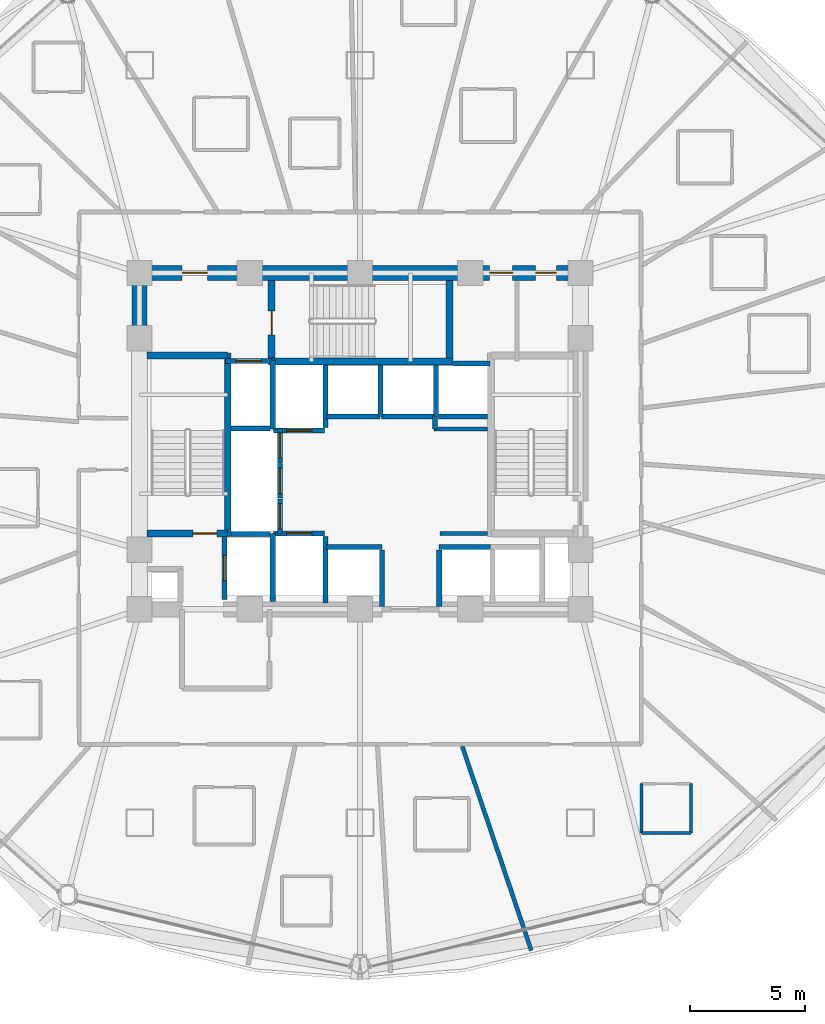
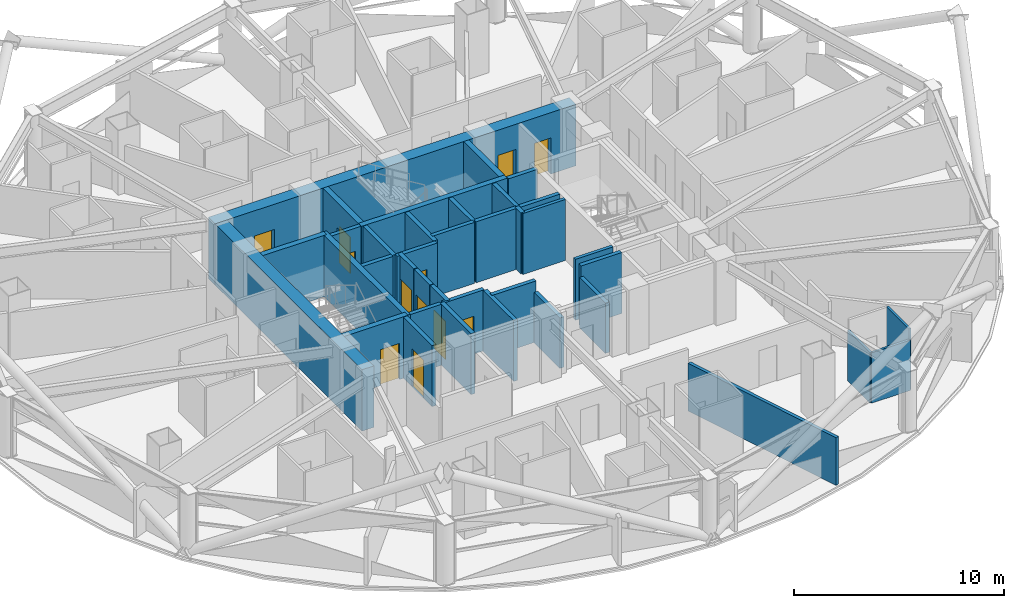
# One storey, part 24 of 31: 38 walls, 12 doors, 12 openings.
"""IFC4 building model written with IfcOpenShell, lengths in metres."""

import ifcopenshell
import ifcopenshell.guid

model = None  # the IFC model being written
_history = None  # IfcOwnerHistory: only IFC2X3 demands one
_inside = {}  # id of a spatial element -> (the spatial element, [elements in it])
_under = {}  # id of a project, library or spatial element -> (it, [spatial elements below it])
_declared = {}  # id of a project -> (the project, [libraries it declares])
_typed = {}  # id of a type object -> (the type object, [elements of that type])
_made_of = {}  # id of a material, layer set ... -> (it, [elements and type objects made of it])


def new_model(schema):
    """Start an empty IFC model of exactly this schema.

    Asked for "IFC4X3", IfcOpenShell would pick the latest addendum, in which some entities
    have other attributes; the version numbers below select the first issue.
    IFC2X3 requires an IfcOwnerHistory on every rooted entity: one is made here for all.
    """
    global model, _history
    if schema == "IFC4X3":
        model = ifcopenshell.file(schema_version=(4, 3, 0, 0))
    else:
        model = ifcopenshell.file(schema=schema)
    _inside.clear()
    _under.clear()
    _declared.clear()
    _typed.clear()
    _made_of.clear()
    _history = None
    if model.schema == "IFC2X3":
        org = make("IfcOrganization", Name="unknown")
        user = make(
            "IfcPersonAndOrganization",
            ThePerson=make("IfcPerson", FamilyName="unknown"),
            TheOrganization=org,
        )
        app = make(
            "IfcApplication",
            ApplicationDeveloper=org,
            Version="unknown",
            ApplicationFullName="unknown",
            ApplicationIdentifier="unknown",
        )
        _history = make(
            "IfcOwnerHistory",
            OwningUser=user,
            OwningApplication=app,
            ChangeAction="ADDED",
            CreationDate=0,
        )
    return model


def make(cls, **values):
    """One entity of the class cls with the attributes given. An attribute that is None is left unset."""
    return model.create_entity(
        cls, **{name: value for name, value in values.items() if value is not None}
    )


def rooted(cls, **values):
    """An entity with a GlobalId (a new one), such as an element, a storey or a relation."""
    return make(cls, GlobalId=ifcopenshell.guid.new(), OwnerHistory=_history, **values)


def si_unit(unit_type, name, prefix=None):
    """IfcSIUnit, for example si_unit("LENGTHUNIT", "METRE", prefix="MILLI")."""
    return make("IfcSIUnit", UnitType=unit_type, Prefix=prefix, Name=name)


def assignment(units):
    """IfcUnitAssignment: the units of a project."""
    return None if units is None else make("IfcUnitAssignment", Units=units)


def point(xyz):
    """IfcCartesianPoint."""
    return None if xyz is None else make("IfcCartesianPoint", Coordinates=xyz)


def direction(xyz):
    """IfcDirection."""
    return None if xyz is None else make("IfcDirection", DirectionRatios=xyz)


def frame(location, z_axis=None, x_axis=None):
    """IfcAxis2Placement3D, a coordinate frame: its origin and axes. An axis left out is left unset."""
    return make(
        "IfcAxis2Placement3D",
        Location=point(location),
        Axis=direction(z_axis),
        RefDirection=direction(x_axis),
    )


def frame_2d(location, x_axis=None):
    """IfcAxis2Placement2D, a coordinate frame in the plane: its origin and x axis."""
    return make(
        "IfcAxis2Placement2D", Location=point(location), RefDirection=direction(x_axis)
    )


def origin():
    """The frame at (0, 0, 0) with its axes left unset."""
    return frame((0.0, 0.0, 0.0))


def place(relative_to, where):
    """IfcLocalPlacement: puts the frame where relative to a parent placement (None: the world)."""
    return make(
        "IfcLocalPlacement", PlacementRelTo=relative_to, RelativePlacement=where
    )


def context(
    kind, dimensions, precision=None, world=None, true_north=None, identifier=None
):
    """IfcGeometricRepresentationContext, for example the 3D "Model" context."""
    return make(
        "IfcGeometricRepresentationContext",
        ContextIdentifier=identifier,
        ContextType=kind,
        CoordinateSpaceDimension=dimensions,
        Precision=precision,
        WorldCoordinateSystem=world,
        TrueNorth=true_north,
    )


def subcontext(parent, identifier, kind, view, scale=None):
    """IfcGeometricRepresentationSubContext, for example "Body" below "Model"."""
    return make(
        "IfcGeometricRepresentationSubContext",
        ContextIdentifier=identifier,
        ContextType=kind,
        ParentContext=parent,
        TargetScale=scale,
        TargetView=view,
    )


def project(units=None, contexts=None):
    """IfcProject with its units and contexts."""
    return rooted(
        "IfcProject",
        Name="project",
        RepresentationContexts=contexts,
        UnitsInContext=assignment(units),
    )


def spatial(cls, under=None, at=None, **own):
    """A site, building, storey or space (cls), placed at a placement, below another one or the project."""
    s = rooted(cls, ObjectPlacement=at, **own)
    if under is not None:
        _under.setdefault(under.id(), (under, []))[1].append(s)
    return s


def profile(cls, at=None, kind="AREA", **sizes):
    """A parametric profile (cls). Its sizes go by their IFC names, for example OverallWidth=200.0."""
    return make(cls, ProfileType=kind, Position=at, **sizes)


def rectangle(**sizes):
    """IfcRectangleProfileDef."""
    return profile("IfcRectangleProfileDef", **sizes)


def extrude(swept, where, along, depth):
    """IfcExtrudedAreaSolid: the profile swept, set in the frame where, extruded along a direction by depth."""
    return make(
        "IfcExtrudedAreaSolid",
        SweptArea=swept,
        Position=where,
        ExtrudedDirection=direction(along),
        Depth=depth,
    )


def shape(context_of_items, identifier, shape_type, items):
    """IfcShapeRepresentation: the items that make up one representation, for example the "Body"."""
    return make(
        "IfcShapeRepresentation",
        ContextOfItems=context_of_items,
        RepresentationIdentifier=identifier,
        RepresentationType=shape_type,
        Items=items,
    )


def material(Name=None, Category=None):
    """IfcMaterial."""
    return make("IfcMaterial", Name=Name, Category=Category)


def layer(
    of_material, thickness, ventilated=None, Name=None, Category=None, Priority=None
):
    """IfcMaterialLayer: one layer of a wall or slab, of a material (None: an air gap)."""
    return make(
        "IfcMaterialLayer",
        Material=of_material,
        LayerThickness=thickness,
        IsVentilated=ventilated,
        Name=Name,
        Category=Category,
        Priority=Priority,
    )


def layer_set(layers, Name=None):
    """IfcMaterialLayerSet."""
    return make("IfcMaterialLayerSet", MaterialLayers=layers, LayerSetName=Name)


def made_of(thing, what):
    """Note that an element or type object is made of a material, layer set ...; save() writes the relation."""
    if what is not None:
        _made_of.setdefault(what.id(), (what, []))[1].append(thing)
    return thing


def type_object(cls, material=None, **own):
    """A type object (cls), such as IfcWallType, which elements share."""
    return made_of(rooted(cls, **own), material)


def element(
    cls,
    number,
    at=None,
    inside=None,
    cuts=None,
    type_object=None,
    material=None,
    context=None,
    identifier="Body",
    shape_type=None,
    held_by="IfcProductDefinitionShape",
    body=None,
    shapes=None,
    **own,
):
    """One element of the class cls, such as IfcWall. Its Tag is "e" and its number.

    at: its placement. inside: the storey or other place that contains it. cuts: it is an
    opening in that element (IfcRelVoidsElement). A single representation is given by context,
    identifier, shape_type and body (its items); several are given by shapes. held_by: the class
    of the entity that holds the representations. save() writes the other relations.
    """
    e = rooted(cls, Tag="e%d" % number, ObjectPlacement=at, **own)
    if body is not None:
        shapes = [shape(context, identifier, shape_type, body)]
    if shapes is not None:
        e.Representation = make(held_by, Representations=shapes)
    if inside is not None:
        _inside.setdefault(inside.id(), (inside, []))[1].append(e)
    if cuts is not None:
        rooted(
            "IfcRelVoidsElement", RelatingBuildingElement=cuts, RelatedOpeningElement=e
        )
    if type_object is not None:
        _typed.setdefault(type_object.id(), (type_object, []))[1].append(e)
    return made_of(e, material)


def fill(opening, filler):
    """IfcRelFillsElement: the door or window that sits in an opening."""
    return rooted(
        "IfcRelFillsElement",
        RelatingOpeningElement=opening,
        RelatedBuildingElement=filler,
    )


def aggregate(whole, parts):
    """IfcRelAggregates: a whole, such as a stair, and the parts it consists of."""
    return rooted("IfcRelAggregates", RelatingObject=whole, RelatedObjects=parts)


def save(model, path):
    """Write the relations noted so far, then the file.

    IfcRelAggregates (storeys below a building ...), IfcRelContainedInSpatialStructure (elements
    in a storey), IfcRelDefinesByType, IfcRelAssociatesMaterial and IfcRelDeclares: one each for
    every whole, place, type object, material and project.
    """
    for whole, parts in _under.values():
        aggregate(whole, parts)
    for where, things in _inside.values():
        rooted(
            "IfcRelContainedInSpatialStructure",
            RelatedElements=things,
            RelatingStructure=where,
        )
    for kind, things in _typed.values():
        rooted("IfcRelDefinesByType", RelatedObjects=things, RelatingType=kind)
    for what, things in _made_of.values():
        rooted("IfcRelAssociatesMaterial", RelatedObjects=things, RelatingMaterial=what)
    for by, libraries in _declared.values():
        rooted("IfcRelDeclares", RelatingContext=by, RelatedDefinitions=libraries)
    model.write(path)


model = new_model("IFC4")

# Units and contexts
model_context = context("Model", 3, precision=1e-05, world=origin(), true_north=direction((0.0, 1.0)))
body_context = subcontext(model_context, "Body", "Model", "MODEL_VIEW")
ifc_project = project(units=[si_unit("LENGTHUNIT", "METRE"), si_unit("AREAUNIT", "SQUARE_METRE"), si_unit("VOLUMEUNIT", "CUBIC_METRE"), si_unit("PLANEANGLEUNIT", "RADIAN"), si_unit("MASSUNIT", "GRAM", prefix="KILO")], contexts=[model_context])

# Site, building, storey
site_placement = place(None, origin())
site = spatial("IfcSite", under=ifc_project, at=site_placement, CompositionType="ELEMENT")
building_placement = place(site_placement, origin())
building = spatial("IfcBuilding", under=site, at=building_placement, Name="Vantalir Tower", CompositionType="ELEMENT")
storey_placement = place(building_placement, frame((0.0, 0.0, 34.5)))
storey = spatial("IfcBuildingStorey", under=building, at=storey_placement, Name="L07", CompositionType="ELEMENT", Elevation=34.5)

# Walls
ifc_material_1 = material(Name="Moisture-resistant en-suite partition", Category="gypsum")
ifc_layer_1 = layer(ifc_material_1, 0.125)
ifc_layer_set_1 = layer_set([ifc_layer_1], Name="Moisture-resistant en-suite partition")
wall_type_1 = type_object("IfcWallType", Name="WL-BATH-125", PredefinedType="PARTITIONING", material=ifc_layer_set_1)
for number, where, z_axis, x_axis, name in (
    (1, (43.761962890625, 8.055908203125, 0.0), (0.0, 0.0, 1.0), (1.0, 0.0, 0.0), "L07 En-suite 18 South Wall"),
    (2, (43.761962890625, 8.055908203125, 0.0), (0.0, 0.0, 1.0), (0.0, 1.0, 0.0), "L07 En-suite 18 West Wall"),
):
    element("IfcWall", number, at=place(storey_placement, frame(where, z_axis=z_axis, x_axis=x_axis)), inside=storey, type_object=wall_type_1, Name=name, PredefinedType="PARTITIONING", context=body_context, shape_type="SweptSolid", body=[
        extrude(rectangle(XDim=2.150146484375, YDim=0.125, at=frame_2d((1.0751953125, 0.0))), origin(), (0.0, 0.0, 1.0), 2.927978515625),
    ])
wall_1_placement = place(storey_placement, frame((45.912109375, 8.055908203125, 0.0), z_axis=(0.0, 0.0, 1.0), x_axis=(0.0, 1.0, 0.0)))
element("IfcWall", 3, at=wall_1_placement, inside=storey, type_object=wall_type_1, Name="L07 En-suite 18 East Wall", PredefinedType="PARTITIONING", context=body_context, shape_type="SweptSolid", body=[
    extrude(rectangle(XDim=2.150146484375, YDim=0.125, at=frame_2d((1.0751953125, 0.0))), origin(), (0.0, 0.0, 1.0), 3.550048828125),
])

# Wall, openings, doors
ifc_material_2 = material(Name="Concrete C60/75", Category="concrete")
ifc_layer_2 = layer(ifc_material_2, 0.64990234375)
ifc_layer_set_2 = layer_set([ifc_layer_2], Name="Concrete C60/75")
wall_type_2 = type_object("IfcWallType", Name="WL-CORE-650", PredefinedType="SHEAR", material=ifc_layer_set_2)
wall_2_placement = place(storey_placement, frame((21.574951171875, 32.449951171875, 0.0), z_axis=(0.0, 0.0, 1.0), x_axis=(1.0, 0.0, 0.0)))
wall_2 = element("IfcWall", 4, at=wall_2_placement, inside=storey, type_object=wall_type_2, Name="L07 Core Shear Wall North", PredefinedType="SHEAR", context=body_context, shape_type="SweptSolid", body=[
    extrude(rectangle(XDim=19.85009765625, YDim=0.64990234375, at=frame_2d((9.925048828125, 0.0))), origin(), (0.0, 0.0, 1.0), 3.570068359375),
])
opening_1_placement = place(wall_2_placement, frame((2.175048828125, 0.0, 0.0)))
opening_1 = element("IfcOpeningElement", 5, at=opening_1_placement, cuts=wall_2, Name="Opening D-FFL", PredefinedType="OPENING", context=body_context, shape_type="SweptSolid", body=[
    extrude(rectangle(XDim=1.10009765625, YDim=2.10009765625, at=frame_2d((0.550048828125, 1.050048828125))), frame((0.0, 0.3349609375, 0.0), z_axis=(0.0, -1.0, 0.0), x_axis=(1.0, 0.0, 0.0)), (0.0, 0.0, 1.0), 0.669921875),
])
opening_2_placement = place(wall_2_placement, frame((15.56494140625, 0.0, 0.0)))
opening_2 = element("IfcOpeningElement", 6, at=opening_2_placement, cuts=wall_2, Name="Opening D-GUEST", PredefinedType="OPENING", context=body_context, shape_type="SweptSolid", body=[
    extrude(rectangle(XDim=1.0, YDim=2.10009765625, at=frame_2d((0.5, 1.050048828125))), frame((0.0, 0.3349609375, 0.0), z_axis=(0.0, -1.0, 0.0), x_axis=(1.0, 0.0, 0.0)), (0.0, 0.0, 1.0), 0.669921875),
])
opening_3_placement = place(wall_2_placement, frame((17.574951171875, 0.0, 0.0)))
opening_3 = element("IfcOpeningElement", 7, at=opening_3_placement, cuts=wall_2, Name="Opening D-CR", PredefinedType="OPENING", context=body_context, shape_type="SweptSolid", body=[
    extrude(rectangle(XDim=0.89990234375, YDim=2.10009765625, at=frame_2d((0.449951171875, 1.050048828125))), frame((0.0, 0.3349609375, 0.0), z_axis=(0.0, -1.0, 0.0), x_axis=(1.0, 0.0, 0.0)), (0.0, 0.0, 1.0), 0.669921875),
])
ifc_material_3 = material(Name="Fire-rated steel core service door", Category="steel")
door_type_1 = type_object("IfcDoorType", Name="DR-CORE-SERV-900", OperationType="NOTDEFINED", PredefinedType="DOOR", material=ifc_material_3)
door_1_placement = place(opening_3_placement, frame((0.89990234375, 0.0, 0.0), z_axis=(0.0, 0.0, 1.0), x_axis=(-1.0, 0.0, 0.0)))
door_1 = element("IfcDoor", 8, at=door_1_placement, inside=storey, type_object=door_type_1, Name="L07 Housekeeping and Linen Room Door", OperationType="SINGLE_SWING_RIGHT", OverallHeight=2.10009765625, OverallWidth=0.89990234375, PredefinedType="DOOR", context=body_context, shape_type="SweptSolid", body=[
    extrude(rectangle(XDim=0.89990234375, YDim=2.10009765625, at=frame_2d((0.449951171875, 1.050048828125))), frame((0.0, 0.02490234375, 0.0), z_axis=(0.0, -1.0, 0.0), x_axis=(1.0, 0.0, 0.0)), (0.0, 0.0, 1.0), 0.050048828125),
])
fill(opening_3, door_1)
ifc_material_4 = material(Name="Fire-rated acoustic steel door", Category="steel")
door_type_2 = type_object("IfcDoorType", Name="DR-FIRE-LOBBY-1100", OperationType="NOTDEFINED", PredefinedType="DOOR", material=ifc_material_4)
door_2_placement = place(opening_1_placement, frame((1.10009765625, 0.0, 0.0), z_axis=(0.0, 0.0, 1.0), x_axis=(-1.0, 0.0, 0.0)))
door_2 = element("IfcDoor", 9, at=door_2_placement, inside=storey, type_object=door_type_2, Name="L07 Firefighting Lobby East Access Door", OperationType="SINGLE_SWING_LEFT", OverallHeight=2.10009765625, OverallWidth=1.10009765625, PredefinedType="DOOR", context=body_context, shape_type="SweptSolid", body=[
    extrude(rectangle(XDim=1.10009765625, YDim=2.10009765625, at=frame_2d((0.550048828125, 1.050048828125))), frame((0.0, 0.02490234375, 0.0), z_axis=(0.0, -1.0, 0.0), x_axis=(1.0, 0.0, 0.0)), (0.0, 0.0, 1.0), 0.050048828125),
])
fill(opening_1, door_2)
ifc_material_5 = material(Name="Solid-core teak veneer acoustic fire door", Category="wood")
door_type_3 = type_object("IfcDoorType", Name="DR-GUEST-ENTRY-1000", OperationType="NOTDEFINED", PredefinedType="DOOR", material=ifc_material_5)
door_3_placement = place(opening_2_placement, frame((1.0, 0.0, 0.0), z_axis=(0.0, 0.0, 1.0), x_axis=(-1.0, 0.0, 0.0)))
door_3 = element("IfcDoor", 10, at=door_3_placement, inside=storey, type_object=door_type_3, Name="L07 High-Rise Lift Lobby Door", OperationType="SINGLE_SWING_LEFT", OverallHeight=2.10009765625, OverallWidth=1.0, PredefinedType="DOOR", context=body_context, shape_type="SweptSolid", body=[
    extrude(rectangle(XDim=1.0, YDim=2.10009765625, at=frame_2d((0.5, 1.050048828125))), frame((0.0, 0.02490234375, 0.0), z_axis=(0.0, -1.0, 0.0), x_axis=(1.0, 0.0, 0.0)), (0.0, 0.0, 1.0), 0.050048828125),
])
fill(opening_2, door_3)

# Walls
wall_3_placement = place(storey_placement, frame((21.89990234375, 18.125, 0.0), z_axis=(0.0, 0.0, 1.0), x_axis=(0.0, 1.0, 0.0)))
element("IfcWall", 11, at=wall_3_placement, inside=storey, type_object=wall_type_2, Name="L07 Core Shear Wall West", PredefinedType="SHEAR", context=body_context, shape_type="SweptSolid", body=[
    extrude(rectangle(XDim=14.0, YDim=0.64990234375, at=frame_2d((7.0, 0.0))), origin(), (0.0, 0.0, 1.0), 3.570068359375),
])
ifc_material_6 = material(Name="Concrete blockwork with fireboard lining", Category="masonry")
ifc_layer_3 = layer(ifc_material_6, 0.219970703125)
ifc_layer_set_3 = layer_set([ifc_layer_3], Name="Concrete blockwork with fireboard lining")
wall_type_3 = type_object("IfcWallType", Name="WL-FFL-220", PredefinedType="PARTITIONING", material=ifc_layer_set_3)
wall_4_placement = place(storey_placement, frame((30.0, 18.080078125, 0.0), z_axis=(0.0, 0.0, 1.0), x_axis=(0.0, 1.0, 0.0)))
element("IfcWall", 12, at=wall_4_placement, inside=storey, type_object=wall_type_3, Name="L07 Service Lift SV1 East Shaft Wall", PredefinedType="PARTITIONING", context=body_context, shape_type="SweptSolid", body=[
    extrude(rectangle(XDim=2.89990234375, YDim=0.219970703125, at=frame_2d((1.449951171875, 0.0))), origin(), (0.0, 0.0, 1.0), 3.544921875),
])
for number, where, z_axis, x_axis, name in (
    (13, (32.449951171875, 17.919921875, 0.0), (0.0, 0.0, 1.0), (0.0, 1.0, 0.0), "L07 Shuttle Lift PL-X1 East Shaft Cheek"),
    (14, (34.949951171875, 17.919921875, 0.0), (0.0, 0.0, 1.0), (0.0, 1.0, 0.0), "L07 Shuttle Lift PL-X3 West Shaft Cheek"),
):
    element("IfcWall", number, at=place(storey_placement, frame(where, z_axis=z_axis, x_axis=x_axis)), inside=storey, type_object=wall_type_3, Name=name, PredefinedType="PARTITIONING", context=body_context, shape_type="SweptSolid", body=[
        extrude(rectangle(XDim=2.469970703125, YDim=0.219970703125, at=frame_2d((1.23486328125, 0.0))), origin(), (0.0, 0.0, 1.0), 2.927978515625),
    ])
wall_5_placement = place(storey_placement, frame((30.0, 25.7099609375, 0.0), z_axis=(0.0, 0.0, 1.0), x_axis=(0.0, 1.0, 0.0)))
element("IfcWall", 15, at=wall_5_placement, inside=storey, type_object=wall_type_3, Name="L07 Service Lift SV2 East Shaft Wall", PredefinedType="PARTITIONING", context=body_context, shape_type="SweptSolid", body=[
    extrude(rectangle(XDim=2.72998046875, YDim=0.219970703125, at=frame_2d((1.364990234375, 0.0))), origin(), (0.0, 0.0, 1.0), 3.544921875),
])
wall_6_placement = place(storey_placement, frame((32.39990234375, 26.199951171875, 0.0), z_axis=(0.0, 0.0, 1.0), x_axis=(0.0, 1.0, 0.0)))
element("IfcWall", 16, at=wall_6_placement, inside=storey, type_object=wall_type_3, Name="L07 High-Rise Lift PL-H1/H2 Shaft Divider", PredefinedType="PARTITIONING", context=body_context, shape_type="SweptSolid", body=[
    extrude(rectangle(XDim=2.239990234375, YDim=0.219970703125, at=frame_2d((1.1201171875, 0.0))), origin(), (0.0, 0.0, 1.0), 3.544921875),
])
wall_7_placement = place(storey_placement, frame((34.800048828125, 26.22998046875, 0.0), z_axis=(0.0, 0.0, 1.0), x_axis=(0.0, 1.0, 0.0)))
element("IfcWall", 17, at=wall_7_placement, inside=storey, type_object=wall_type_3, Name="L07 High-Rise Lift PL-H2/H3 Shaft Divider", PredefinedType="PARTITIONING", context=body_context, shape_type="SweptSolid", body=[
    extrude(rectangle(XDim=2.2099609375, YDim=0.219970703125, at=frame_2d((1.10498046875, 0.0))), origin(), (0.0, 0.0, 1.0), 3.544921875),
])
wall_8_placement = place(storey_placement, frame((34.909912109375, 26.18994140625, 0.0), z_axis=(0.0, 0.0, 1.0), x_axis=(1.0, 0.0, 0.0)))
element("IfcWall", 18, at=wall_8_placement, inside=storey, type_object=wall_type_3, Name="L07 High-Rise Lift PL-H3 Rear Shaft Wall", PredefinedType="PARTITIONING", context=body_context, shape_type="SweptSolid", body=[
    extrude(rectangle(XDim=2.14013671875, YDim=0.219970703125, at=frame_2d((1.070068359375, 0.0))), origin(), (0.0, 0.0, 1.0), 3.544921875),
])

# Wall, opening, door
wall_9_placement = place(storey_placement, frame((25.590087890625, 18.219970703125, 0.0), z_axis=(0.0, 0.0, 1.0), x_axis=(0.0, 1.0, 0.0)))
wall_9 = element("IfcWall", 19, at=wall_9_placement, inside=storey, type_object=wall_type_3, Name="L07 Lift FL1 Shaft Front Wall", PredefinedType="PARTITIONING", context=body_context, shape_type="SweptSolid", body=[
    extrude(rectangle(XDim=2.760009765625, YDim=0.219970703125, at=frame_2d((1.3798828125, 0.0))), origin(), (0.0, 0.0, 1.0), 3.550048828125),
])
opening_4_placement = place(wall_9_placement, frame((0.830078125, 0.0, 0.0)))
opening_4 = element("IfcOpeningElement", 20, at=opening_4_placement, cuts=wall_9, Name="Opening LD-FL1", PredefinedType="OPENING", context=body_context, shape_type="SweptSolid", body=[
    extrude(rectangle(XDim=1.10009765625, YDim=2.199951171875, at=frame_2d((0.550048828125, 1.10009765625))), frame((0.0, 0.119873046875, 0.0), z_axis=(0.0, -1.0, 0.0), x_axis=(1.0, 0.0, 0.0)), (0.0, 0.0, 1.0), 0.239990234375),
])
ifc_material_7 = material(Name="Brushed stainless-steel sliding lift landing door", Category="steel")
door_type_4 = type_object("IfcDoorType", Name="DR-LIFT-LANDING-1100", OperationType="DOUBLE_DOOR_SLIDING", PredefinedType="DOOR", material=ifc_material_7)
door_4_placement = place(opening_4_placement, origin())
door_4 = element("IfcDoor", 21, at=door_4_placement, inside=storey, type_object=door_type_4, Name="L07 Lift Landing Door FL1", OperationType="DOUBLE_DOOR_SLIDING", OverallHeight=2.199951171875, OverallWidth=1.10009765625, PredefinedType="DOOR", context=body_context, shape_type="SweptSolid", body=[
    extrude(rectangle(XDim=1.10009765625, YDim=2.199951171875, at=frame_2d((0.550048828125, 1.10009765625))), frame((0.0, 0.02490234375, 0.0), z_axis=(0.0, -1.0, 0.0), x_axis=(1.0, 0.0, 0.0)), (0.0, 0.0, 1.0), 0.050048828125),
])
fill(opening_4, door_4)

wall_10_placement = place(storey_placement, frame((25.639892578125, 28.610107421875, 0.0), z_axis=(0.0, 0.0, 1.0), x_axis=(1.0, 0.0, 0.0)))
wall_10 = element("IfcWall", 22, at=wall_10_placement, inside=storey, type_object=wall_type_3, Name="L07 Lift FL2 Shaft Front Wall", PredefinedType="PARTITIONING", context=body_context, shape_type="SweptSolid", body=[
    extrude(rectangle(XDim=2.02001953125, YDim=0.219970703125, at=frame_2d((1.010009765625, 0.0))), origin(), (0.0, 0.0, 1.0), 3.550048828125),
])
opening_5_placement = place(wall_10_placement, frame((0.4599609375, 0.0, 0.0)))
opening_5 = element("IfcOpeningElement", 23, at=opening_5_placement, cuts=wall_10, Name="Opening LD-FL2", PredefinedType="OPENING", context=body_context, shape_type="SweptSolid", body=[
    extrude(rectangle(XDim=1.10009765625, YDim=2.199951171875, at=frame_2d((0.550048828125, 1.10009765625))), frame((0.0, 0.119873046875, 0.0), z_axis=(0.0, -1.0, 0.0), x_axis=(1.0, 0.0, 0.0)), (0.0, 0.0, 1.0), 0.239990234375),
])
door_5_placement = place(opening_5_placement, origin())
door_5 = element("IfcDoor", 24, at=door_5_placement, inside=storey, type_object=door_type_4, Name="L07 Lift Landing Door FL2", OperationType="DOUBLE_DOOR_SLIDING", OverallHeight=2.199951171875, OverallWidth=1.10009765625, PredefinedType="DOOR", context=body_context, shape_type="SweptSolid", body=[
    extrude(rectangle(XDim=1.10009765625, YDim=2.199951171875, at=frame_2d((0.550048828125, 1.10009765625))), frame((0.0, 0.02490234375, 0.0), z_axis=(0.0, -1.0, 0.0), x_axis=(1.0, 0.0, 0.0)), (0.0, 0.0, 1.0), 0.050048828125),
])
fill(opening_5, door_5)

wall_11_placement = place(storey_placement, frame((27.739990234375, 21.110107421875, 0.0), z_axis=(0.0, 0.0, 1.0), x_axis=(1.0, 0.0, 0.0)))
wall_11 = element("IfcWall", 25, at=wall_11_placement, inside=storey, type_object=wall_type_3, Name="L07 Lift SV1 Shaft Front Wall", PredefinedType="PARTITIONING", context=body_context, shape_type="SweptSolid", body=[
    extrude(rectangle(XDim=2.219970703125, YDim=0.219970703125, at=frame_2d((1.10986328125, 0.0))), origin(), (0.0, 0.0, 1.0), 3.550048828125),
])
opening_6_placement = place(wall_11_placement, frame((0.56005859375, 0.0, 0.0)))
opening_6 = element("IfcOpeningElement", 26, at=opening_6_placement, cuts=wall_11, Name="Opening LD-SV1", PredefinedType="OPENING", context=body_context, shape_type="SweptSolid", body=[
    extrude(rectangle(XDim=1.10009765625, YDim=2.199951171875, at=frame_2d((0.550048828125, 1.10009765625))), frame((0.0, 0.119873046875, 0.0), z_axis=(0.0, -1.0, 0.0), x_axis=(1.0, 0.0, 0.0)), (0.0, 0.0, 1.0), 0.239990234375),
])
door_6_placement = place(opening_6_placement, origin())
door_6 = element("IfcDoor", 27, at=door_6_placement, inside=storey, type_object=door_type_4, Name="L07 Lift Landing Door SV1", OperationType="DOUBLE_DOOR_SLIDING", OverallHeight=2.199951171875, OverallWidth=1.10009765625, PredefinedType="DOOR", context=body_context, shape_type="SweptSolid", body=[
    extrude(rectangle(XDim=1.10009765625, YDim=2.199951171875, at=frame_2d((0.550048828125, 1.10009765625))), frame((0.0, 0.02490234375, 0.0), z_axis=(0.0, -1.0, 0.0), x_axis=(1.0, 0.0, 0.0)), (0.0, 0.0, 1.0), 0.050048828125),
])
fill(opening_6, door_6)

wall_12_placement = place(storey_placement, frame((27.739990234375, 25.590087890625, 0.0), z_axis=(0.0, 0.0, 1.0), x_axis=(1.0, 0.0, 0.0)))
wall_12 = element("IfcWall", 28, at=wall_12_placement, inside=storey, type_object=wall_type_3, Name="L07 Lift SV2 Shaft Front Wall", PredefinedType="PARTITIONING", context=body_context, shape_type="SweptSolid", body=[
    extrude(rectangle(XDim=2.219970703125, YDim=0.219970703125, at=frame_2d((1.10986328125, 0.0))), origin(), (0.0, 0.0, 1.0), 3.550048828125),
])
opening_7_placement = place(wall_12_placement, frame((0.56005859375, 0.0, 0.0)))
opening_7 = element("IfcOpeningElement", 29, at=opening_7_placement, cuts=wall_12, Name="Opening LD-SV2", PredefinedType="OPENING", context=body_context, shape_type="SweptSolid", body=[
    extrude(rectangle(XDim=1.10009765625, YDim=2.199951171875, at=frame_2d((0.550048828125, 1.10009765625))), frame((0.0, 0.119873046875, 0.0), z_axis=(0.0, -1.0, 0.0), x_axis=(1.0, 0.0, 0.0)), (0.0, 0.0, 1.0), 0.239990234375),
])
door_7_placement = place(opening_7_placement, frame((1.10009765625, 0.0, 0.0), z_axis=(0.0, 0.0, 1.0), x_axis=(-1.0, 0.0, 0.0)))
door_7 = element("IfcDoor", 30, at=door_7_placement, inside=storey, type_object=door_type_4, Name="L07 Lift Landing Door SV2", OperationType="DOUBLE_DOOR_SLIDING", OverallHeight=2.199951171875, OverallWidth=1.10009765625, PredefinedType="DOOR", context=body_context, shape_type="SweptSolid", body=[
    extrude(rectangle(XDim=1.10009765625, YDim=2.199951171875, at=frame_2d((0.550048828125, 1.10009765625))), frame((0.0, 0.02490234375, 0.0), z_axis=(0.0, -1.0, 0.0), x_axis=(1.0, 0.0, 0.0)), (0.0, 0.0, 1.0), 0.050048828125),
])
fill(opening_7, door_7)

# Walls
wall_13_placement = place(storey_placement, frame((30.0400390625, 20.510009765625, 0.0), z_axis=(0.0, 0.0, 1.0), x_axis=(1.0, 0.0, 0.0)))
element("IfcWall", 31, at=wall_13_placement, inside=storey, type_object=wall_type_3, Name="L07 Lift PL-X1 Shaft Front Wall", PredefinedType="PARTITIONING", context=body_context, shape_type="SweptSolid", body=[
    extrude(rectangle(XDim=2.419921875, YDim=0.219970703125, at=frame_2d((1.2099609375, 0.0))), origin(), (0.0, 0.0, 1.0), 3.550048828125),
])
wall_14_placement = place(storey_placement, frame((34.93994140625, 20.510009765625, 0.0), z_axis=(0.0, 0.0, 1.0), x_axis=(1.0, 0.0, 0.0)))
element("IfcWall", 32, at=wall_14_placement, inside=storey, type_object=wall_type_3, Name="L07 Lift PL-X3 Shaft Front Wall", PredefinedType="PARTITIONING", context=body_context, shape_type="SweptSolid", body=[
    extrude(rectangle(XDim=2.239990234375, YDim=0.219970703125, at=frame_2d((1.1201171875, 0.0))), origin(), (0.0, 0.0, 1.0), 3.550048828125),
])
for number, where, z_axis, x_axis, name in (
    (33, (30.0400390625, 26.18994140625, 0.0), (0.0, 0.0, 1.0), (1.0, 0.0, 0.0), "L07 Lift PL-H1 Shaft Front Wall"),
    (34, (32.43994140625, 26.18994140625, 0.0), (0.0, 0.0, 1.0), (1.0, 0.0, 0.0), "L07 Lift PL-H2 Shaft Front Wall"),
):
    element("IfcWall", number, at=place(storey_placement, frame(where, z_axis=z_axis, x_axis=x_axis)), inside=storey, type_object=wall_type_3, Name=name, PredefinedType="PARTITIONING", context=body_context, shape_type="SweptSolid", body=[
        extrude(rectangle(XDim=2.320068359375, YDim=0.219970703125, at=frame_2d((1.16015625, 0.0))), origin(), (0.0, 0.0, 1.0), 3.550048828125),
    ])
wall_15_placement = place(storey_placement, frame((35.56005859375, 28.510009765625, 0.0), z_axis=(0.0, 0.0, 1.0), x_axis=(1.0, 0.0, 0.0)))
element("IfcWall", 35, at=wall_15_placement, inside=storey, type_object=wall_type_3, Name="L07 Lift PL-H3 Shaft Front Wall", PredefinedType="PARTITIONING", context=body_context, shape_type="SweptSolid", body=[
    extrude(rectangle(XDim=1.599853515625, YDim=0.219970703125, at=frame_2d((0.7998046875, 0.0))), origin(), (0.0, 0.0, 1.0), 3.550048828125),
])

# Wall, opening, door
wall_16_placement = place(storey_placement, frame((28.010009765625, 21.10009765625, 0.0), z_axis=(0.0, 0.0, 1.0), x_axis=(0.0, 1.0, 0.0)))
wall_16 = element("IfcWall", 36, at=wall_16_placement, inside=storey, type_object=wall_type_3, Name="L07 Lift PL-L1 Shaft Front Wall", PredefinedType="PARTITIONING", context=body_context, shape_type="SweptSolid", body=[
    extrude(rectangle(XDim=1.5, YDim=0.219970703125, at=frame_2d((0.75, 0.0))), origin(), (0.0, 0.0, 1.0), 3.550048828125),
])
opening_8_placement = place(wall_16_placement, frame((0.199951171875, 0.0, 0.0)))
opening_8 = element("IfcOpeningElement", 37, at=opening_8_placement, cuts=wall_16, Name="Opening LD-PL-L1", PredefinedType="OPENING", context=body_context, shape_type="SweptSolid", body=[
    extrude(rectangle(XDim=1.10009765625, YDim=2.199951171875, at=frame_2d((0.550048828125, 1.10009765625))), frame((0.0, 0.119873046875, 0.0), z_axis=(0.0, -1.0, 0.0), x_axis=(1.0, 0.0, 0.0)), (0.0, 0.0, 1.0), 0.239990234375),
])
door_8_placement = place(opening_8_placement, frame((1.10009765625, 0.0, 0.0), z_axis=(0.0, 0.0, 1.0), x_axis=(-1.0, 0.0, 0.0)))
door_8 = element("IfcDoor", 38, at=door_8_placement, inside=storey, type_object=door_type_4, Name="L07 Lift Landing Door PL-L1", OperationType="DOUBLE_DOOR_SLIDING", OverallHeight=2.199951171875, OverallWidth=1.10009765625, PredefinedType="DOOR", context=body_context, shape_type="SweptSolid", body=[
    extrude(rectangle(XDim=1.10009765625, YDim=2.199951171875, at=frame_2d((0.550048828125, 1.10009765625))), frame((0.0, 0.02490234375, 0.0), z_axis=(0.0, -1.0, 0.0), x_axis=(1.0, 0.0, 0.0)), (0.0, 0.0, 1.0), 0.050048828125),
])
fill(opening_8, door_8)

wall_17_placement = place(storey_placement, frame((28.010009765625, 22.639892578125, 0.0), z_axis=(0.0, 0.0, 1.0), x_axis=(0.0, 1.0, 0.0)))
wall_17 = element("IfcWall", 39, at=wall_17_placement, inside=storey, type_object=wall_type_3, Name="L07 Lift PL-L2 Shaft Front Wall", PredefinedType="PARTITIONING", context=body_context, shape_type="SweptSolid", body=[
    extrude(rectangle(XDim=1.5, YDim=0.219970703125, at=frame_2d((0.75, 0.0))), origin(), (0.0, 0.0, 1.0), 3.550048828125),
])
opening_9_placement = place(wall_17_placement, frame((0.199951171875, 0.0, 0.0)))
opening_9 = element("IfcOpeningElement", 40, at=opening_9_placement, cuts=wall_17, Name="Opening LD-PL-L2", PredefinedType="OPENING", context=body_context, shape_type="SweptSolid", body=[
    extrude(rectangle(XDim=1.10009765625, YDim=2.199951171875, at=frame_2d((0.550048828125, 1.10009765625))), frame((0.0, 0.119873046875, 0.0), z_axis=(0.0, -1.0, 0.0), x_axis=(1.0, 0.0, 0.0)), (0.0, 0.0, 1.0), 0.239990234375),
])
door_9_placement = place(opening_9_placement, frame((1.10009765625, 0.0, 0.0), z_axis=(0.0, 0.0, 1.0), x_axis=(-1.0, 0.0, 0.0)))
door_9 = element("IfcDoor", 41, at=door_9_placement, inside=storey, type_object=door_type_4, Name="L07 Lift Landing Door PL-L2", OperationType="DOUBLE_DOOR_SLIDING", OverallHeight=2.199951171875, OverallWidth=1.10009765625, PredefinedType="DOOR", context=body_context, shape_type="SweptSolid", body=[
    extrude(rectangle(XDim=1.10009765625, YDim=2.199951171875, at=frame_2d((0.550048828125, 1.10009765625))), frame((0.0, 0.02490234375, 0.0), z_axis=(0.0, -1.0, 0.0), x_axis=(1.0, 0.0, 0.0)), (0.0, 0.0, 1.0), 0.050048828125),
])
fill(opening_9, door_9)

wall_18_placement = place(storey_placement, frame((28.010009765625, 24.179931640625, 0.0), z_axis=(0.0, 0.0, 1.0), x_axis=(0.0, 1.0, 0.0)))
wall_18 = element("IfcWall", 42, at=wall_18_placement, inside=storey, type_object=wall_type_3, Name="L07 Lift PL-L3 Shaft Front Wall", PredefinedType="PARTITIONING", context=body_context, shape_type="SweptSolid", body=[
    extrude(rectangle(XDim=1.5, YDim=0.219970703125, at=frame_2d((0.75, 0.0))), origin(), (0.0, 0.0, 1.0), 3.550048828125),
])
opening_10_placement = place(wall_18_placement, frame((0.199951171875, 0.0, 0.0)))
opening_10 = element("IfcOpeningElement", 43, at=opening_10_placement, cuts=wall_18, Name="Opening LD-PL-L3", PredefinedType="OPENING", context=body_context, shape_type="SweptSolid", body=[
    extrude(rectangle(XDim=1.10009765625, YDim=2.199951171875, at=frame_2d((0.550048828125, 1.10009765625))), frame((0.0, 0.119873046875, 0.0), z_axis=(0.0, -1.0, 0.0), x_axis=(1.0, 0.0, 0.0)), (0.0, 0.0, 1.0), 0.239990234375),
])
door_10_placement = place(opening_10_placement, frame((1.10009765625, 0.0, 0.0), z_axis=(0.0, 0.0, 1.0), x_axis=(-1.0, 0.0, 0.0)))
door_10 = element("IfcDoor", 44, at=door_10_placement, inside=storey, type_object=door_type_4, Name="L07 Lift Landing Door PL-L3", OperationType="DOUBLE_DOOR_SLIDING", OverallHeight=2.199951171875, OverallWidth=1.10009765625, PredefinedType="DOOR", context=body_context, shape_type="SweptSolid", body=[
    extrude(rectangle(XDim=1.10009765625, YDim=2.199951171875, at=frame_2d((0.550048828125, 1.10009765625))), frame((0.0, 0.02490234375, 0.0), z_axis=(0.0, -1.0, 0.0), x_axis=(1.0, 0.0, 0.0)), (0.0, 0.0, 1.0), 0.050048828125),
])
fill(opening_10, door_10)

# Walls
wall_19_placement = place(storey_placement, frame((27.699951171875, 18.14990234375, 0.0), z_axis=(0.0, 0.0, 1.0), x_axis=(0.0, 1.0, 0.0)))
element("IfcWall", 45, at=wall_19_placement, inside=storey, type_object=wall_type_3, Name="L07 Fire Lift FL1 Dividing Wall", PredefinedType="PARTITIONING", context=body_context, shape_type="SweptSolid", body=[
    extrude(rectangle(XDim=2.9501953125, YDim=0.219970703125, at=frame_2d((1.47509765625, 0.0))), origin(), (0.0, 0.0, 1.0), 3.550048828125),
])
wall_20_placement = place(storey_placement, frame((27.699951171875, 25.64990234375, 0.0), z_axis=(0.0, 0.0, 1.0), x_axis=(0.0, 1.0, 0.0)))
element("IfcWall", 46, at=wall_20_placement, inside=storey, type_object=wall_type_3, Name="L07 Fire Lift FL2 Dividing Wall", PredefinedType="PARTITIONING", context=body_context, shape_type="SweptSolid", body=[
    extrude(rectangle(XDim=3.0, YDim=0.219970703125, at=frame_2d((1.5, 0.0))), origin(), (0.0, 0.0, 1.0), 3.550048828125),
])
for number, where, z_axis, x_axis, name in (
    (47, (25.8798828125, 21.080078125, 0.0), (0.0, 0.0, 1.0), (1.0, 0.0, 0.0), "L07 Low-Rise Bank South Wall"),
    (48, (25.8798828125, 25.679931640625, 0.0), (0.0, 0.0, 1.0), (1.0, 0.0, 0.0), "L07 Low-Rise Bank North Wall"),
):
    element("IfcWall", number, at=place(storey_placement, frame(where, z_axis=z_axis, x_axis=x_axis)), inside=storey, type_object=wall_type_3, Name=name, PredefinedType="PARTITIONING", context=body_context, shape_type="SweptSolid", body=[
        extrude(rectangle(XDim=1.7001953125, YDim=0.219970703125, at=frame_2d((0.85009765625, 0.0))), origin(), (0.0, 0.0, 1.0), 3.550048828125),
    ])
wall_21_placement = place(storey_placement, frame((34.760009765625, 25.64990234375, 0.0), z_axis=(0.0, 0.0, 1.0), x_axis=(0.0, 1.0, 0.0)))
element("IfcWall", 49, at=wall_21_placement, inside=storey, type_object=wall_type_3, Name="L07 High-Rise Shaft Shoulder Wall", PredefinedType="PARTITIONING", context=body_context, shape_type="SweptSolid", body=[
    extrude(rectangle(XDim=0.570068359375, YDim=0.219970703125, at=frame_2d((0.28515625, 0.0))), origin(), (0.0, 0.0, 1.0), 3.550048828125),
])
ifc_material_8 = material(Name="Twin-stud acoustic fire-rated gypsum partition", Category="gypsum")
ifc_layer_4 = layer(ifc_material_8, 0.179931640625)
ifc_layer_set_4 = layer_set([ifc_layer_4], Name="Twin-stud acoustic fire-rated gypsum partition")
wall_type_4 = type_object("IfcWallType", Name="WL-GUEST-180", PredefinedType="PARTITIONING", material=ifc_layer_set_4)
wall_22_placement = place(storey_placement, frame((34.97998046875, 21.10009765625, 0.0), z_axis=(0.0, 0.0, 1.0), x_axis=(1.0, 0.0, 0.0)))
element("IfcWall", 50, at=wall_22_placement, inside=storey, type_object=wall_type_4, Name="L07 Freed East Core South Wall", PredefinedType="PARTITIONING", context=body_context, shape_type="SweptSolid", body=[
    extrude(rectangle(XDim=2.080078125, YDim=0.179931640625, at=frame_2d((1.0400390625, 0.0))), origin(), (0.0, 0.0, 1.0), 3.550048828125),
])
wall_23_placement = place(storey_placement, frame((34.719970703125, 25.64990234375, 0.0), z_axis=(0.0, 0.0, 1.0), x_axis=(1.0, 0.0, 0.0)))
element("IfcWall", 51, at=wall_23_placement, inside=storey, type_object=wall_type_4, Name="L07 Freed East Core North Wall", PredefinedType="PARTITIONING", context=body_context, shape_type="SweptSolid", body=[
    extrude(rectangle(XDim=2.340087890625, YDim=0.179931640625, at=frame_2d((1.169921875, 0.0))), origin(), (0.0, 0.0, 1.0), 3.550048828125),
])
wall_24_placement = place(storey_placement, frame((35.951904296875, 11.837890625, 0.0), z_axis=(0.0, 0.0, 1.0), x_axis=(0.320360288368, -0.94729577516, 0.0)))
element("IfcWall", 52, at=wall_24_placement, inside=storey, type_object=wall_type_4, Name="L07 Radial Suite Partition 18", PredefinedType="PARTITIONING", context=body_context, shape_type="SweptSolid", body=[
    extrude(rectangle(XDim=9.386474609375, YDim=0.179931640625, at=frame_2d((4.693359375, 0.0))), origin(), (0.0, 0.0, 1.0), 2.77490234375),
])

# Wall, opening, door
ifc_material_9 = material(Name="Concrete C50/60", Category="concrete")
ifc_layer_5 = layer(ifc_material_9, 0.300048828125)
ifc_layer_set_5 = layer_set([ifc_layer_5], Name="Concrete C50/60")
wall_type_5 = type_object("IfcWallType", Name="WL-STAIR-300", PredefinedType="SHEAR", material=ifc_layer_set_5)
wall_25_placement = place(storey_placement, frame((22.22509765625, 21.10009765625, 0.0), z_axis=(0.0, 0.0, 1.0), x_axis=(1.0, 0.0, 0.0)))
wall_25 = element("IfcWall", 53, at=wall_25_placement, inside=storey, type_object=wall_type_5, Name="L07 Stair ST1 South Wall", PredefinedType="SHEAR", context=body_context, shape_type="SweptSolid", body=[
    extrude(rectangle(XDim=3.514892578125, YDim=0.300048828125, at=frame_2d((1.75732421875, 0.0))), origin(), (0.0, 0.0, 1.0), 3.570068359375),
])
opening_11_placement = place(wall_25_placement, frame((1.9951171875, 0.0, 0.0)))
opening_11 = element("IfcOpeningElement", 54, at=opening_11_placement, cuts=wall_25, Name="Opening D-ST", PredefinedType="OPENING", context=body_context, shape_type="SweptSolid", body=[
    extrude(rectangle(XDim=1.050048828125, YDim=2.10009765625, at=frame_2d((0.52490234375, 1.050048828125))), frame((0.0, 0.159912109375, 0.0), z_axis=(0.0, -1.0, 0.0), x_axis=(1.0, 0.0, 0.0)), (0.0, 0.0, 1.0), 0.320068359375),
])
ifc_material_10 = material(Name="Fire-rated steel door leaf", Category="steel")
door_type_5 = type_object("IfcDoorType", Name="DR-FIRE-STAIR-1050", OperationType="NOTDEFINED", PredefinedType="DOOR", material=ifc_material_10)
door_11_placement = place(opening_11_placement, origin())
door_11 = element("IfcDoor", 55, at=door_11_placement, inside=storey, type_object=door_type_5, Name="L07 Exit Stair ST1 Fire Door", OperationType="SINGLE_SWING_RIGHT", OverallHeight=2.10009765625, OverallWidth=1.050048828125, PredefinedType="DOOR", context=body_context, shape_type="SweptSolid", body=[
    extrude(rectangle(XDim=1.050048828125, YDim=2.10009765625, at=frame_2d((0.52490234375, 1.050048828125))), frame((0.0, 0.02490234375, 0.0), z_axis=(0.0, -1.0, 0.0), x_axis=(1.0, 0.0, 0.0)), (0.0, 0.0, 1.0), 0.050048828125),
])
fill(opening_11, door_11)

# Walls
wall_26_placement = place(storey_placement, frame((22.22509765625, 28.85009765625, 0.0), z_axis=(0.0, 0.0, 1.0), x_axis=(1.0, 0.0, 0.0)))
element("IfcWall", 56, at=wall_26_placement, inside=storey, type_object=wall_type_5, Name="L07 Stair ST1 North Wall", PredefinedType="SHEAR", context=body_context, shape_type="SweptSolid", body=[
    extrude(rectangle(XDim=3.514892578125, YDim=0.300048828125, at=frame_2d((1.75732421875, 0.0))), origin(), (0.0, 0.0, 1.0), 3.570068359375),
])
wall_27_placement = place(storey_placement, frame((25.739990234375, 20.97998046875, 0.0), z_axis=(0.0, 0.0, 1.0), x_axis=(0.0, 1.0, 0.0)))
element("IfcWall", 57, at=wall_27_placement, inside=storey, type_object=wall_type_5, Name="L07 Stair ST1 East Wall", PredefinedType="SHEAR", context=body_context, shape_type="SweptSolid", body=[
    extrude(rectangle(XDim=7.989990234375, YDim=0.300048828125, at=frame_2d((3.9951171875, 0.0))), origin(), (0.0, 0.0, 1.0), 3.570068359375),
])
wall_28_placement = place(storey_placement, frame((27.510009765625, 28.60009765625, 0.0), z_axis=(0.0, 0.0, 1.0), x_axis=(1.0, 0.0, 0.0)))
element("IfcWall", 58, at=wall_28_placement, inside=storey, type_object=wall_type_5, Name="L07 Stair ST3 South Wall", PredefinedType="SHEAR", context=body_context, shape_type="SweptSolid", body=[
    extrude(rectangle(XDim=8.030029296875, YDim=0.300048828125, at=frame_2d((4.01513671875, 0.0))), origin(), (0.0, 0.0, 1.0), 3.570068359375),
])

# Wall, opening, door
wall_29_placement = place(storey_placement, frame((27.64990234375, 28.75, 0.0), z_axis=(0.0, 0.0, 1.0), x_axis=(0.0, 1.0, 0.0)))
wall_29 = element("IfcWall", 59, at=wall_29_placement, inside=storey, type_object=wall_type_5, Name="L07 Stair ST3 West Wall", PredefinedType="SHEAR", context=body_context, shape_type="SweptSolid", body=[
    extrude(rectangle(XDim=3.375, YDim=0.300048828125, at=frame_2d((1.6875, 0.0))), origin(), (0.0, 0.0, 1.0), 3.570068359375),
])
opening_12_placement = place(wall_29_placement, frame((1.0, 0.0, 0.0)))
opening_12 = element("IfcOpeningElement", 60, at=opening_12_placement, cuts=wall_29, Name="Opening D-ST", PredefinedType="OPENING", context=body_context, shape_type="SweptSolid", body=[
    extrude(rectangle(XDim=1.050048828125, YDim=2.10009765625, at=frame_2d((0.52490234375, 1.050048828125))), frame((0.0, 0.159912109375, 0.0), z_axis=(0.0, -1.0, 0.0), x_axis=(1.0, 0.0, 0.0)), (0.0, 0.0, 1.0), 0.320068359375),
])
door_12_placement = place(opening_12_placement, frame((1.050048828125, 0.0, 0.0), z_axis=(0.0, 0.0, 1.0), x_axis=(-1.0, 0.0, 0.0)))
door_12 = element("IfcDoor", 61, at=door_12_placement, inside=storey, type_object=door_type_5, Name="L07 Exit Stair ST3 Fire Door", OperationType="SINGLE_SWING_RIGHT", OverallHeight=2.10009765625, OverallWidth=1.050048828125, PredefinedType="DOOR", context=body_context, shape_type="SweptSolid", body=[
    extrude(rectangle(XDim=1.050048828125, YDim=2.10009765625, at=frame_2d((0.52490234375, 1.050048828125))), frame((0.0, 0.02490234375, 0.0), z_axis=(0.0, -1.0, 0.0), x_axis=(1.0, 0.0, 0.0)), (0.0, 0.0, 1.0), 0.050048828125),
])
fill(opening_12, door_12)

# Wall
wall_30_placement = place(storey_placement, frame((35.39990234375, 28.75, 0.0), z_axis=(0.0, 0.0, 1.0), x_axis=(0.0, 1.0, 0.0)))
element("IfcWall", 62, at=wall_30_placement, inside=storey, type_object=wall_type_5, Name="L07 Stair ST3 East Wall", PredefinedType="SHEAR", context=body_context, shape_type="SweptSolid", body=[
    extrude(rectangle(XDim=3.375, YDim=0.300048828125, at=frame_2d((1.6875, 0.0))), origin(), (0.0, 0.0, 1.0), 3.570068359375),
])

save(model, "model.ifc")
